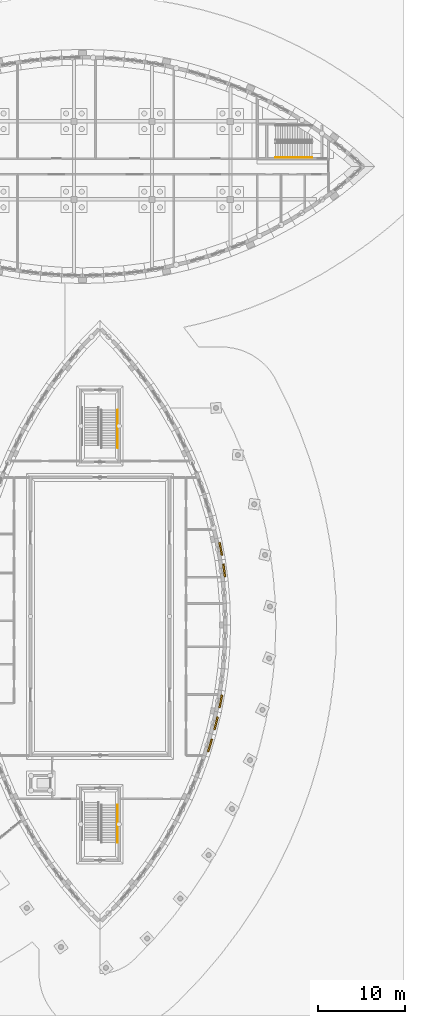
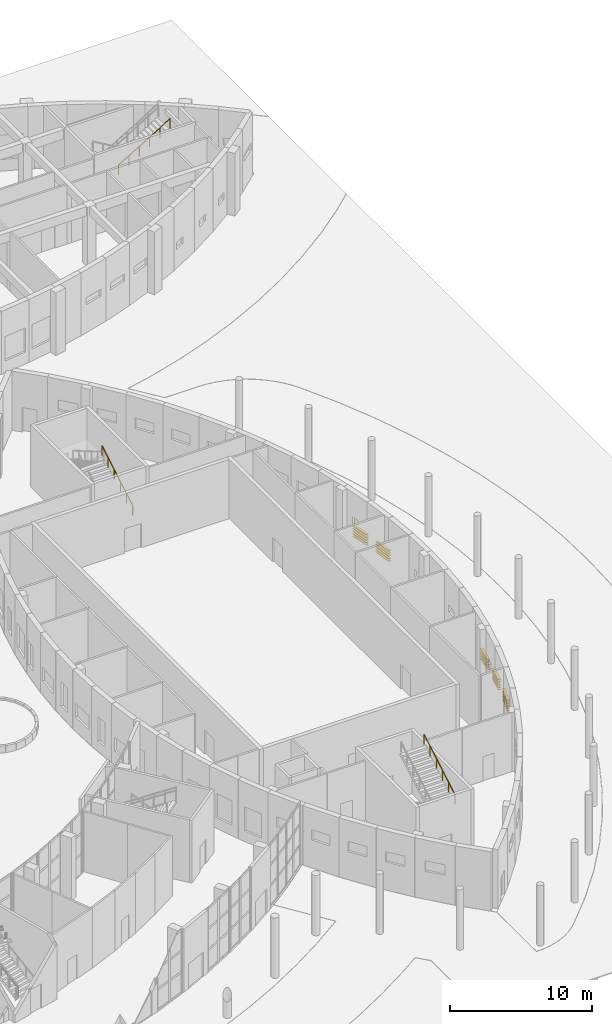
# One storey, part 80 of 82: 25 shading devices, 3 railings.
"""IFC4 building model written with IfcOpenShell, lengths in metres."""

import ifcopenshell
import ifcopenshell.guid

model = None  # the IFC model being written
_history = None  # IfcOwnerHistory: only IFC2X3 demands one
_inside = {}  # id of a spatial element -> (the spatial element, [elements in it])
_under = {}  # id of a project, library or spatial element -> (it, [spatial elements below it])
_declared = {}  # id of a project -> (the project, [libraries it declares])
_typed = {}  # id of a type object -> (the type object, [elements of that type])
_made_of = {}  # id of a material, layer set ... -> (it, [elements and type objects made of it])


def new_model(schema):
    """Start an empty IFC model of exactly this schema.

    Asked for "IFC4X3", IfcOpenShell would pick the latest addendum, in which some entities
    have other attributes; the version numbers below select the first issue.
    IFC2X3 requires an IfcOwnerHistory on every rooted entity: one is made here for all.
    """
    global model, _history
    if schema == "IFC4X3":
        model = ifcopenshell.file(schema_version=(4, 3, 0, 0))
    else:
        model = ifcopenshell.file(schema=schema)
    _inside.clear()
    _under.clear()
    _declared.clear()
    _typed.clear()
    _made_of.clear()
    _history = None
    if model.schema == "IFC2X3":
        org = make("IfcOrganization", Name="unknown")
        user = make(
            "IfcPersonAndOrganization",
            ThePerson=make("IfcPerson", FamilyName="unknown"),
            TheOrganization=org,
        )
        app = make(
            "IfcApplication",
            ApplicationDeveloper=org,
            Version="unknown",
            ApplicationFullName="unknown",
            ApplicationIdentifier="unknown",
        )
        _history = make(
            "IfcOwnerHistory",
            OwningUser=user,
            OwningApplication=app,
            ChangeAction="ADDED",
            CreationDate=0,
        )
    return model


def make(cls, **values):
    """One entity of the class cls with the attributes given. An attribute that is None is left unset."""
    return model.create_entity(
        cls, **{name: value for name, value in values.items() if value is not None}
    )


def rooted(cls, **values):
    """An entity with a GlobalId (a new one), such as an element, a storey or a relation."""
    return make(cls, GlobalId=ifcopenshell.guid.new(), OwnerHistory=_history, **values)


def si_unit(unit_type, name, prefix=None):
    """IfcSIUnit, for example si_unit("LENGTHUNIT", "METRE", prefix="MILLI")."""
    return make("IfcSIUnit", UnitType=unit_type, Prefix=prefix, Name=name)


def assignment(units):
    """IfcUnitAssignment: the units of a project."""
    return None if units is None else make("IfcUnitAssignment", Units=units)


def point(xyz):
    """IfcCartesianPoint."""
    return None if xyz is None else make("IfcCartesianPoint", Coordinates=xyz)


def direction(xyz):
    """IfcDirection."""
    return None if xyz is None else make("IfcDirection", DirectionRatios=xyz)


def frame(location, z_axis=None, x_axis=None):
    """IfcAxis2Placement3D, a coordinate frame: its origin and axes. An axis left out is left unset."""
    return make(
        "IfcAxis2Placement3D",
        Location=point(location),
        Axis=direction(z_axis),
        RefDirection=direction(x_axis),
    )


def frame_2d(location, x_axis=None):
    """IfcAxis2Placement2D, a coordinate frame in the plane: its origin and x axis."""
    return make(
        "IfcAxis2Placement2D", Location=point(location), RefDirection=direction(x_axis)
    )


def origin():
    """The frame at (0, 0, 0) with its axes left unset."""
    return frame((0.0, 0.0, 0.0))


def origin_2d():
    """The frame at (0, 0) in the plane with its x axis left unset."""
    return frame_2d((0.0, 0.0))


def place(relative_to, where):
    """IfcLocalPlacement: puts the frame where relative to a parent placement (None: the world)."""
    return make(
        "IfcLocalPlacement", PlacementRelTo=relative_to, RelativePlacement=where
    )


def context(
    kind, dimensions, precision=None, world=None, true_north=None, identifier=None
):
    """IfcGeometricRepresentationContext, for example the 3D "Model" context."""
    return make(
        "IfcGeometricRepresentationContext",
        ContextIdentifier=identifier,
        ContextType=kind,
        CoordinateSpaceDimension=dimensions,
        Precision=precision,
        WorldCoordinateSystem=world,
        TrueNorth=true_north,
    )


def subcontext(parent, identifier, kind, view, scale=None):
    """IfcGeometricRepresentationSubContext, for example "Body" below "Model"."""
    return make(
        "IfcGeometricRepresentationSubContext",
        ContextIdentifier=identifier,
        ContextType=kind,
        ParentContext=parent,
        TargetScale=scale,
        TargetView=view,
    )


def project(units=None, contexts=None):
    """IfcProject with its units and contexts."""
    return rooted(
        "IfcProject",
        Name="project",
        RepresentationContexts=contexts,
        UnitsInContext=assignment(units),
    )


def spatial(cls, under=None, at=None, **own):
    """A site, building, storey or space (cls), placed at a placement, below another one or the project."""
    s = rooted(cls, ObjectPlacement=at, **own)
    if under is not None:
        _under.setdefault(under.id(), (under, []))[1].append(s)
    return s


def profile(cls, at=None, kind="AREA", **sizes):
    """A parametric profile (cls). Its sizes go by their IFC names, for example OverallWidth=200.0."""
    return make(cls, ProfileType=kind, Position=at, **sizes)


def rectangle(**sizes):
    """IfcRectangleProfileDef."""
    return profile("IfcRectangleProfileDef", **sizes)


def circle(**sizes):
    """IfcCircleProfileDef."""
    return profile("IfcCircleProfileDef", **sizes)


def extrude(swept, where, along, depth):
    """IfcExtrudedAreaSolid: the profile swept, set in the frame where, extruded along a direction by depth."""
    return make(
        "IfcExtrudedAreaSolid",
        SweptArea=swept,
        Position=where,
        ExtrudedDirection=direction(along),
        Depth=depth,
    )


def shape(context_of_items, identifier, shape_type, items):
    """IfcShapeRepresentation: the items that make up one representation, for example the "Body"."""
    return make(
        "IfcShapeRepresentation",
        ContextOfItems=context_of_items,
        RepresentationIdentifier=identifier,
        RepresentationType=shape_type,
        Items=items,
    )


def material(Name=None, Category=None):
    """IfcMaterial."""
    return make("IfcMaterial", Name=Name, Category=Category)


def layer(
    of_material, thickness, ventilated=None, Name=None, Category=None, Priority=None
):
    """IfcMaterialLayer: one layer of a wall or slab, of a material (None: an air gap)."""
    return make(
        "IfcMaterialLayer",
        Material=of_material,
        LayerThickness=thickness,
        IsVentilated=ventilated,
        Name=Name,
        Category=Category,
        Priority=Priority,
    )


def layer_set(layers, Name=None):
    """IfcMaterialLayerSet."""
    return make("IfcMaterialLayerSet", MaterialLayers=layers, LayerSetName=Name)


def made_of(thing, what):
    """Note that an element or type object is made of a material, layer set ...; save() writes the relation."""
    if what is not None:
        _made_of.setdefault(what.id(), (what, []))[1].append(thing)
    return thing


def type_object(cls, material=None, **own):
    """A type object (cls), such as IfcWallType, which elements share."""
    return made_of(rooted(cls, **own), material)


def element(
    cls,
    number,
    at=None,
    inside=None,
    cuts=None,
    type_object=None,
    material=None,
    context=None,
    identifier="Body",
    shape_type=None,
    held_by="IfcProductDefinitionShape",
    body=None,
    shapes=None,
    **own,
):
    """One element of the class cls, such as IfcWall. Its Tag is "e" and its number.

    at: its placement. inside: the storey or other place that contains it. cuts: it is an
    opening in that element (IfcRelVoidsElement). A single representation is given by context,
    identifier, shape_type and body (its items); several are given by shapes. held_by: the class
    of the entity that holds the representations. save() writes the other relations.
    """
    e = rooted(cls, Tag="e%d" % number, ObjectPlacement=at, **own)
    if body is not None:
        shapes = [shape(context, identifier, shape_type, body)]
    if shapes is not None:
        e.Representation = make(held_by, Representations=shapes)
    if inside is not None:
        _inside.setdefault(inside.id(), (inside, []))[1].append(e)
    if cuts is not None:
        rooted(
            "IfcRelVoidsElement", RelatingBuildingElement=cuts, RelatedOpeningElement=e
        )
    if type_object is not None:
        _typed.setdefault(type_object.id(), (type_object, []))[1].append(e)
    return made_of(e, material)


def aggregate(whole, parts):
    """IfcRelAggregates: a whole, such as a stair, and the parts it consists of."""
    return rooted("IfcRelAggregates", RelatingObject=whole, RelatedObjects=parts)


def save(model, path):
    """Write the relations noted so far, then the file.

    IfcRelAggregates (storeys below a building ...), IfcRelContainedInSpatialStructure (elements
    in a storey), IfcRelDefinesByType, IfcRelAssociatesMaterial and IfcRelDeclares: one each for
    every whole, place, type object, material and project.
    """
    for whole, parts in _under.values():
        aggregate(whole, parts)
    for where, things in _inside.values():
        rooted(
            "IfcRelContainedInSpatialStructure",
            RelatedElements=things,
            RelatingStructure=where,
        )
    for kind, things in _typed.values():
        rooted("IfcRelDefinesByType", RelatedObjects=things, RelatingType=kind)
    for what, things in _made_of.values():
        rooted("IfcRelAssociatesMaterial", RelatedObjects=things, RelatingMaterial=what)
    for by, libraries in _declared.values():
        rooted("IfcRelDeclares", RelatingContext=by, RelatedDefinitions=libraries)
    model.write(path)


model = new_model("IFC4")

# Units and contexts
model_context = context("Model", 3, precision=1e-05, world=origin(), true_north=direction((0.0, 1.0)))
body_context = subcontext(model_context, "Body", "Model", "MODEL_VIEW")
ifc_project = project(units=[si_unit("LENGTHUNIT", "METRE"), si_unit("AREAUNIT", "SQUARE_METRE"), si_unit("VOLUMEUNIT", "CUBIC_METRE"), si_unit("PLANEANGLEUNIT", "RADIAN"), si_unit("MASSUNIT", "GRAM", prefix="KILO")], contexts=[model_context])

# Site, building, storey
site_placement = place(None, origin())
site = spatial("IfcSite", under=ifc_project, at=site_placement, CompositionType="ELEMENT")
building_placement = place(site_placement, origin())
building = spatial("IfcBuilding", under=site, at=building_placement, Name="Tide Square Theatres", CompositionType="ELEMENT")
storey_placement = place(building_placement, origin())
storey = spatial("IfcBuildingStorey", under=building, at=storey_placement, Name="L00", CompositionType="ELEMENT", Elevation=0.0)

# Shading devices
ifc_material_1 = material(Name="Aluminium 6063-T5", Category="aluminium")
ifc_layer = layer(ifc_material_1, 0.0400390625)
ifc_layer_set = layer_set([ifc_layer], Name="Aluminium 6063-T5")
shading_device_type = type_object("IfcShadingDeviceType", Name="Aluminium louvre blade 200", PredefinedType="USERDEFINED", material=ifc_layer_set)
for number, where, z_axis, x_axis, name in (
    (1, (144.6689453125, 31.143310546875, 0.8798828125), (0.0, 0.0, 1.0), (0.288196268134, 0.957571360805, 0.0), "Black Box Theatre plant room louvre"),
    (2, (144.6689453125, 31.143310546875, 1.10009765625), (0.0, 0.0, 1.0), (0.288196268134, 0.957571360805, 0.0), "Black Box Theatre plant room louvre"),
    (3, (144.6689453125, 31.143310546875, 1.320068359375), (0.0, 0.0, 1.0), (0.288196268134, 0.957571360805, 0.0), "Black Box Theatre plant room louvre"),
    (4, (144.6689453125, 31.143310546875, 1.5400390625), (0.0, 0.0, 1.0), (0.288196268134, 0.957571360805, 0.0), "Black Box Theatre plant room louvre"),
    (5, (144.6689453125, 31.143310546875, 1.760009765625), (0.0, 0.0, 1.0), (0.288196268134, 0.957571360805, 0.0), "Black Box Theatre plant room louvre"),
    (6, (145.36083984375, 33.6943359375, 0.8798828125), (0.0, 0.0, 1.0), (0.235142113103, 0.971961000579, 0.0), "Black Box Theatre plant room louvre"),
    (7, (145.36083984375, 33.6943359375, 1.10009765625), (0.0, 0.0, 1.0), (0.235142113103, 0.971961000579, 0.0), "Black Box Theatre plant room louvre"),
    (8, (145.36083984375, 33.6943359375, 1.320068359375), (0.0, 0.0, 1.0), (0.235142113103, 0.971961000579, 0.0), "Black Box Theatre plant room louvre"),
    (9, (145.36083984375, 33.6943359375, 1.5400390625), (0.0, 0.0, 1.0), (0.235142113103, 0.971961000579, 0.0), "Black Box Theatre plant room louvre"),
    (10, (145.36083984375, 33.6943359375, 1.760009765625), (0.0, 0.0, 1.0), (0.235142113103, 0.971961000579, 0.0), "Black Box Theatre plant room louvre"),
    (11, (145.902099609375, 36.2197265625, 0.8798828125), (0.0, 0.0, 1.0), (0.182630214616, 0.983181674315, 0.0), "Black Box Theatre plant room louvre"),
    (12, (145.902099609375, 36.2197265625, 1.10009765625), (0.0, 0.0, 1.0), (0.182630214616, 0.983181674315, 0.0), "Black Box Theatre plant room louvre"),
    (13, (145.902099609375, 36.2197265625, 1.320068359375), (0.0, 0.0, 1.0), (0.182630214616, 0.983181674315, 0.0), "Black Box Theatre plant room louvre"),
    (14, (145.902099609375, 36.2197265625, 1.5400390625), (0.0, 0.0, 1.0), (0.182630214616, 0.983181674315, 0.0), "Black Box Theatre plant room louvre"),
    (15, (145.902099609375, 36.2197265625, 1.760009765625), (0.0, 0.0, 1.0), (0.182630214616, 0.983181674315, 0.0), "Black Box Theatre plant room louvre"),
    (16, (146.297607421875, 51.2890625, 0.8798828125), (0.0, 0.0, 1.0), (-0.130785747402, 0.991410655721, 0.0), "Black Box Theatre plant room louvre"),
    (17, (146.297607421875, 51.2890625, 1.10009765625), (0.0, 0.0, 1.0), (-0.130785747402, 0.991410655721, 0.0), "Black Box Theatre plant room louvre"),
    (18, (146.297607421875, 51.2890625, 1.320068359375), (0.0, 0.0, 1.0), (-0.130785747402, 0.991410655721, 0.0), "Black Box Theatre plant room louvre"),
    (19, (146.297607421875, 51.2890625, 1.5400390625), (0.0, 0.0, 1.0), (-0.130785747402, 0.991410655721, 0.0), "Black Box Theatre plant room louvre"),
    (20, (146.297607421875, 51.2890625, 1.760009765625), (0.0, 0.0, 1.0), (-0.130785747402, 0.991410655721, 0.0), "Black Box Theatre plant room louvre"),
    (21, (145.902099609375, 53.7802734375, 0.8798828125), (0.0, 0.0, 1.0), (-0.182630214616, 0.983181674315, 0.0), "Black Box Theatre plant room louvre"),
    (22, (145.902099609375, 53.7802734375, 1.10009765625), (0.0, 0.0, 1.0), (-0.182630214616, 0.983181674315, 0.0), "Black Box Theatre plant room louvre"),
    (23, (145.902099609375, 53.7802734375, 1.320068359375), (0.0, 0.0, 1.0), (-0.182630214616, 0.983181674315, 0.0), "Black Box Theatre plant room louvre"),
    (24, (145.902099609375, 53.7802734375, 1.5400390625), (0.0, 0.0, 1.0), (-0.182630214616, 0.983181674315, 0.0), "Black Box Theatre plant room louvre"),
    (25, (145.902099609375, 53.7802734375, 1.760009765625), (0.0, 0.0, 1.0), (-0.182630214616, 0.983181674315, 0.0), "Black Box Theatre plant room louvre"),
):
    element("IfcShadingDevice", number, at=place(storey_placement, frame(where, z_axis=z_axis, x_axis=x_axis)), inside=storey, type_object=shading_device_type, Name=name, ObjectType="LOUVRE", PredefinedType="USERDEFINED", context=body_context, shape_type="SweptSolid", body=[
        extrude(rectangle(XDim=1.5, YDim=0.199951171875, at=origin_2d()), origin(), (0.0, 0.0, 1.0), 0.0400390625),
    ])

# Railings
ifc_material_2 = material(Name="Painted steel", Category="steel")
railing_type = type_object("IfcRailingType", Name="Steel handrail 850", PredefinedType="HANDRAIL", material=ifc_material_2)
railing_1_placement = place(storey_placement, frame((134.0400390625, 65.39990234375, 0.168701171875)))
element("IfcRailing", 26, at=railing_1_placement, inside=storey, type_object=railing_type, Name="Stair handrail 1", PredefinedType="HANDRAIL", context=body_context, shape_type="SweptSolid", body=[
    extrude(circle(Radius=0.02490234375, at=origin_2d()), frame((0.0, 0.0, 0.8251953125), z_axis=(0.0, 0.864323800911, 0.50293574856), x_axis=(-1.0, 0.0, 0.0)), (0.0, 0.0, 1.0), 5.032958984375),
    extrude(circle(Radius=0.02001953125, at=origin_2d()), origin(), (0.0, 0.0, 1.0), 0.800048828125),
    extrude(circle(Radius=0.02001953125, at=origin_2d()), frame((0.0, 0.8701171875, 0.50634765625)), (0.0, 0.0, 1.0), 0.800048828125),
    extrude(circle(Radius=0.02001953125, at=origin_2d()), frame((0.0, 1.739990234375, 1.012451171875)), (0.0, 0.0, 1.0), 0.800048828125),
    extrude(circle(Radius=0.02001953125, at=origin_2d()), frame((0.0, 2.610107421875, 1.518798828125)), (0.0, 0.0, 1.0), 0.800048828125),
    extrude(circle(Radius=0.02001953125, at=origin_2d()), frame((0.0, 3.47998046875, 2.02490234375)), (0.0, 0.0, 1.0), 0.800048828125),
    extrude(circle(Radius=0.02001953125, at=origin_2d()), frame((0.0, 4.35009765625, 2.53125)), (0.0, 0.0, 1.0), 0.800048828125),
])
railing_2_placement = place(storey_placement, frame((134.0400390625, 19.951904296875, 2.86865234375)))
element("IfcRailing", 27, at=railing_2_placement, inside=storey, type_object=railing_type, Name="Stair handrail 2", PredefinedType="HANDRAIL", context=body_context, shape_type="SweptSolid", body=[
    extrude(circle(Radius=0.02490234375, at=origin_2d()), frame((0.0, 0.0, 0.8251953125), z_axis=(0.0, 0.864311530196, 0.502956835891), x_axis=(-1.0, 0.0, 0.0)), (0.0, 0.0, 1.0), 5.03271484375),
    extrude(circle(Radius=0.02001953125, at=origin_2d()), origin(), (0.0, 0.0, 1.0), 0.800048828125),
    extrude(circle(Radius=0.02001953125, at=origin_2d()), frame((0.0, 0.869873046875, 0.50634765625)), (0.0, 0.0, 1.0), 0.800048828125),
    extrude(circle(Radius=0.02001953125, at=origin_2d()), frame((0.0, 1.739990234375, 1.012451171875)), (0.0, 0.0, 1.0), 0.800048828125),
    extrude(circle(Radius=0.02001953125, at=origin_2d()), frame((0.0, 2.60986328125, 1.518798828125)), (0.0, 0.0, 1.0), 0.800048828125),
    extrude(circle(Radius=0.02001953125, at=origin_2d()), frame((0.0, 3.47998046875, 2.02490234375)), (0.0, 0.0, 1.0), 0.800048828125),
    extrude(circle(Radius=0.02001953125, at=origin_2d()), frame((0.0, 4.349853515625, 2.53125)), (0.0, 0.0, 1.0), 0.800048828125),
])
railing_3_placement = place(storey_placement, frame((152.199951171875, 98.85009765625, 2.86865234375)))
element("IfcRailing", 28, at=railing_3_placement, inside=storey, type_object=railing_type, Name="L00 RST-2 stair handrail 3", PredefinedType="HANDRAIL", context=body_context, shape_type="SweptSolid", body=[
    extrude(circle(Radius=0.02392578125, at=origin_2d()), frame((0.0, 0.0, 0.826171875), z_axis=(0.856476492594, 0.0, 0.516186030065), x_axis=(0.0, 1.0, 0.0)), (0.0, 0.0, 1.0), 4.90380859375),
    extrude(circle(Radius=0.02099609375, at=origin_2d()), origin(), (0.0, 0.0, 1.0), 0.802001953125),
    extrude(circle(Radius=0.02099609375, at=origin_2d()), frame((0.840087890625, 0.0, 0.50634765625)), (0.0, 0.0, 1.0), 0.802001953125),
    extrude(circle(Radius=0.02099609375, at=origin_2d()), frame((1.679931640625, 0.0, 1.012451171875)), (0.0, 0.0, 1.0), 0.802001953125),
    extrude(circle(Radius=0.02099609375, at=origin_2d()), frame((2.52001953125, 0.0, 1.518798828125)), (0.0, 0.0, 1.0), 0.802001953125),
    extrude(circle(Radius=0.02099609375, at=origin_2d()), frame((3.35986328125, 0.0, 2.02490234375)), (0.0, 0.0, 1.0), 0.802001953125),
    extrude(circle(Radius=0.02099609375, at=origin_2d()), frame((4.199951171875, 0.0, 2.53125)), (0.0, 0.0, 1.0), 0.802001953125),
])

save(model, "model.ifc")
